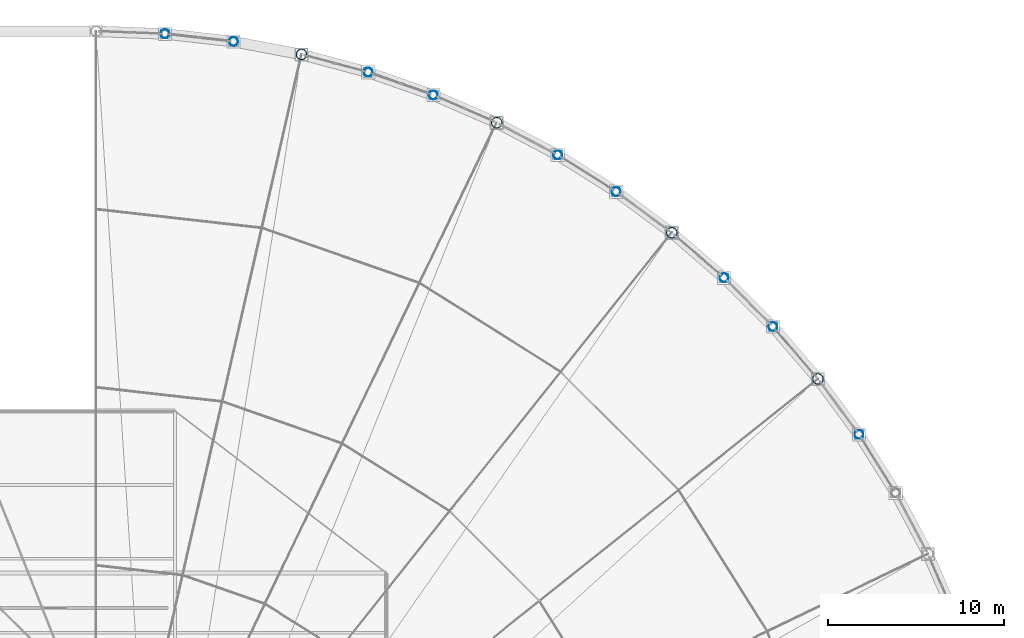
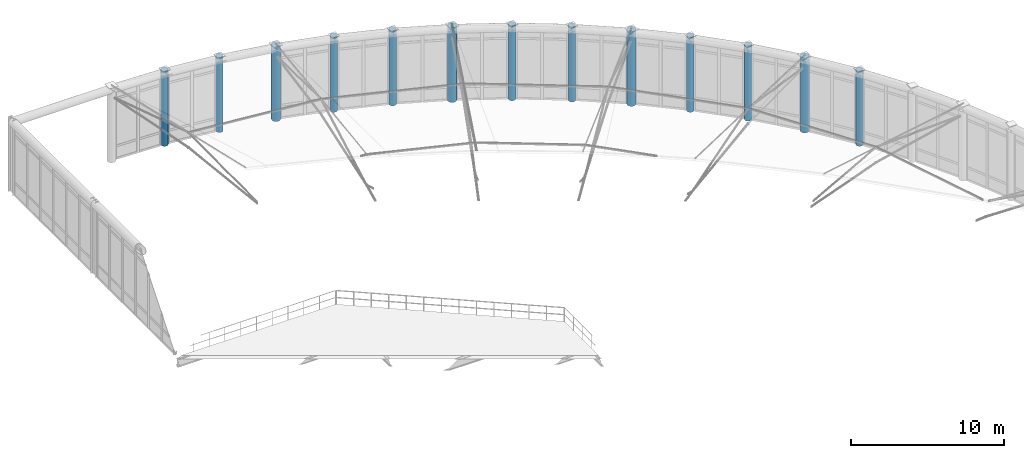
# One storey, part 22 of 101: 13 columns.
"""IFC4 building model written with IfcOpenShell, lengths in metres."""

from ifc_helpers import new_model, si_unit, direction, frame, origin, origin_2d, place, context, subcontext, project, spatial, hollow_circle, extrude, material, material_profile, profile_set, type_object, element, save


model = new_model("IFC4")

# Units and contexts
model_context = context("Model", 3, precision=1e-05, world=origin(), true_north=direction((0.0, 1.0)))
body_context = subcontext(model_context, "Body", "Model", "MODEL_VIEW")
ifc_project = project(units=[si_unit("LENGTHUNIT", "METRE"), si_unit("AREAUNIT", "SQUARE_METRE"), si_unit("VOLUMEUNIT", "CUBIC_METRE"), si_unit("PLANEANGLEUNIT", "RADIAN"), si_unit("MASSUNIT", "GRAM", prefix="KILO"), si_unit("THERMODYNAMICTEMPERATUREUNIT", "KELVIN"), si_unit("POWERUNIT", "WATT")], contexts=[model_context])

# Site, building, storey
site_placement = place(None, origin())
site = spatial("IfcSite", under=ifc_project, at=site_placement, CompositionType="ELEMENT")
building_placement = place(site_placement, origin())
building = spatial("IfcBuilding", under=site, at=building_placement, Name="Tembeka Court Mobility Hub", CompositionType="ELEMENT")
storey_placement = place(building_placement, frame((0.0, 0.0, 5.39990234375)))
storey = spatial("IfcBuildingStorey", under=building, at=storey_placement, Name="L01", CompositionType="ELEMENT", Elevation=5.39990234375)

# Columns
ifc_material = material(Name="Steel S355", Category="steel")
ifc_material_profile_1 = material_profile(ifc_material, hollow_circle(Radius=0.304931640625, WallThickness=0.02001953125, at=origin_2d()), Name="CHS 610x20")
ifc_profile_set_1 = profile_set([ifc_material_profile_1], Name="Steel S355")
column_type_1 = type_object("IfcColumnType", Name="COL-C07", PredefinedType="COLUMN", material=ifc_profile_set_1)
for number, where, z_axis, x_axis, name in (
    (1, (135.582275390625, 117.483642578125, 0.0), (0.0, 0.0, 1.0), (1.0, 0.0, 0.0), "Column C07 (L01-189)"),
    (2, (146.678955078125, 113.600830078125, 0.0), (0.0, 0.0, 1.0), (1.0, 0.0, 0.0), "Column C07 (L01-204)"),
    (3, (156.63330078125, 107.34619140625, 0.0), (0.0, 0.0, 1.0), (1.0, 0.0, 0.0), "Column C07 (L01-217)"),
    (4, (164.9462890625, 99.033203125, 0.0), (0.0, 0.0, 1.0), (1.0, 0.0, 0.0), "Column C07 (L01-230)"),
):
    element("IfcColumn", number, at=place(storey_placement, frame(where, z_axis=z_axis, x_axis=x_axis)), inside=storey, type_object=column_type_1, Name=name, PredefinedType="COLUMN", context=body_context, shape_type="SweptSolid", body=[
        extrude(hollow_circle(Radius=0.304931640625, WallThickness=0.02001953125, at=origin_2d()), origin(), (0.0, 0.0, 1.0), 6.0),
    ])
ifc_material_profile_2 = material_profile(ifc_material, hollow_circle(Radius=0.25390625, WallThickness=0.01611328125, at=origin_2d()), Name="CHS 508x16")
ifc_profile_set_2 = profile_set([ifc_material_profile_2], Name="Steel S355")
column_type_2 = type_object("IfcColumnType", Name="COL-C08", PredefinedType="COLUMN", material=ifc_profile_set_2)
for number, where, z_axis, x_axis, name in (
    (5, (127.8232421875, 118.6533203125, 0.0), (0.0, 0.0, 1.0), (1.0, 0.0, 0.0), "Column C08 (L01-172)"),
    (6, (131.724609375, 118.213623046875, 0.0), (0.0, 0.0, 1.0), (1.0, 0.0, 0.0), "Column C08 (L01-186)"),
    (7, (139.37451171875, 116.467529296875, 0.0), (0.0, 0.0, 1.0), (1.0, 0.0, 0.0), "Column C08 (L01-192)"),
    (8, (143.080322265625, 115.1708984375, 0.0), (0.0, 0.0, 1.0), (1.0, 0.0, 0.0), "Column C08 (L01-203)"),
    (9, (150.14990234375, 111.766357421875, 0.0), (0.0, 0.0, 1.0), (1.0, 0.0, 0.0), "Column C08 (L01-205)"),
    (10, (153.474365234375, 109.677490234375, 0.0), (0.0, 0.0, 1.0), (1.0, 0.0, 0.0), "Column C08 (L01-216)"),
    (11, (159.609130859375, 104.78515625, 0.0), (0.0, 0.0, 1.0), (1.0, 0.0, 0.0), "Column C08 (L01-218)"),
    (12, (162.38525390625, 102.009033203125, 0.0), (0.0, 0.0, 1.0), (1.0, 0.0, 0.0), "Column C08 (L01-219)"),
    (13, (167.277587890625, 95.874267578125, 0.0), (0.0, 0.0, 1.0), (1.0, 0.0, 0.0), "Column C08 (L01-231)"),
):
    element("IfcColumn", number, at=place(storey_placement, frame(where, z_axis=z_axis, x_axis=x_axis)), inside=storey, type_object=column_type_2, Name=name, PredefinedType="COLUMN", context=body_context, shape_type="SweptSolid", body=[
        extrude(hollow_circle(Radius=0.25390625, WallThickness=0.01611328125, at=origin_2d()), origin(), (0.0, 0.0, 1.0), 6.0),
    ])

save(model, "model.ifc")
